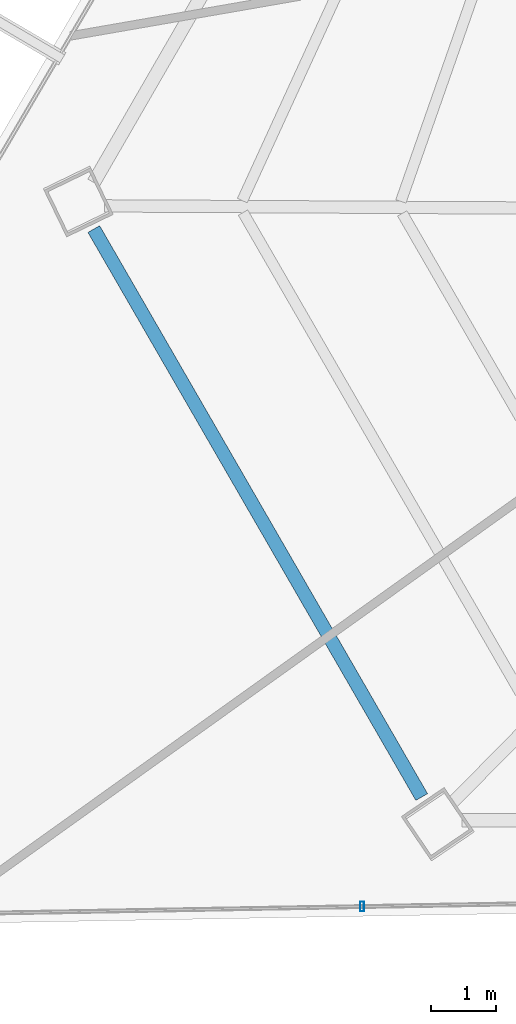
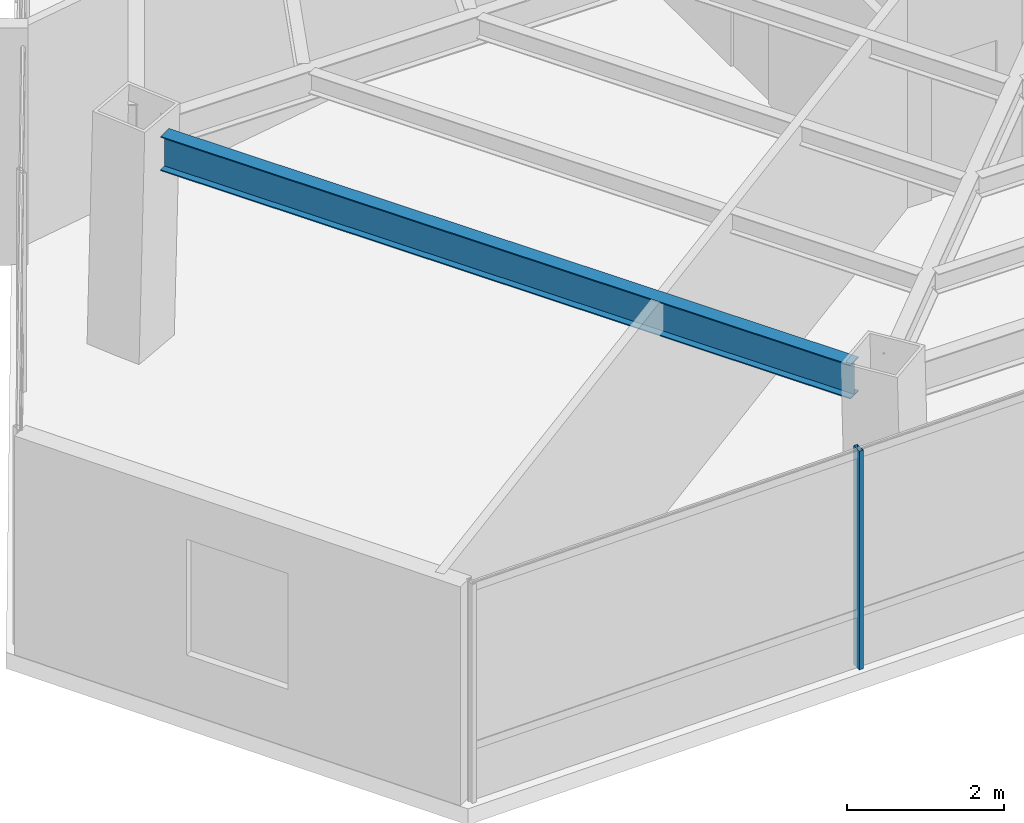
# One storey, part 4 of 42: 1 beam, 1 member, 1 element without a shape of its own.
"""IFC4 building model written with IfcOpenShell, lengths in metres."""

from ifc_helpers import new_model, si_unit, direction, frame, origin, origin_2d, place, context, subcontext, project, spatial, hollow_rectangle, i_section, extrude, source, transform, mapped, material, material_profile, profile_set, type_object, type_shapes, element, aggregate, save


model = new_model("IFC4")

# Units and contexts
model_context = context("Model", 3, precision=1e-05, world=origin(), true_north=direction((0.0, 1.0)))
body_context = subcontext(model_context, "Body", "Model", "MODEL_VIEW")
ifc_project = project(units=[si_unit("LENGTHUNIT", "METRE"), si_unit("AREAUNIT", "SQUARE_METRE"), si_unit("VOLUMEUNIT", "CUBIC_METRE"), si_unit("PLANEANGLEUNIT", "RADIAN"), si_unit("MASSUNIT", "GRAM", prefix="KILO")], contexts=[model_context])

# Site, building, storey
site_placement = place(None, origin())
site = spatial("IfcSite", under=ifc_project, at=site_placement, CompositionType="ELEMENT")
building_placement = place(site_placement, origin())
building = spatial("IfcBuilding", under=site, at=building_placement, Name="Caelisora Broadcast Tower", CompositionType="ELEMENT")
storey_placement = place(building_placement, frame((0.0, 0.0, 184.050048828125)))
storey = spatial("IfcBuildingStorey", under=building, at=storey_placement, Name="L48", CompositionType="ELEMENT", Elevation=184.050048828125)

# Beam
ifc_material_1 = material(Name="Steel Grade 350 (AS/NZS 3679.1)", Category="steel")
ifc_material_profile_1 = material_profile(ifc_material_1, i_section(OverallWidth=0.208984375, OverallDepth=0.532958984375, WebThickness=0.01025390625, FlangeThickness=0.015625, at=origin_2d()), Name="Steel Grade 350 (AS/NZS 3679.1)")
ifc_profile_set_1 = profile_set([ifc_material_profile_1], Name="Steel Grade 350 (AS/NZS 3679.1)")
beam_type = type_object("IfcBeamType", Name="PG05", PredefinedType="BEAM", material=ifc_profile_set_1)
shared_shape_1 = source(origin(), body_context, "Body", "SweptSolid", [
    extrude(i_section(OverallWidth=0.208984375, OverallDepth=0.532958984375, WebThickness=0.01025390625, FlangeThickness=0.015625, at=origin_2d()), origin(), (0.0, 0.0, 1.0), 10.14208984375),
])
type_shapes(beam_type, [shared_shape_1])
beam_placement = place(storey_placement, frame((15.932373046875, 17.11474609375, 3.133544921875), z_axis=(0.500004454241, -0.866022832112, 0.0), x_axis=(0.866022832112, 0.500004454241, 0.0)))
element("IfcBeam", 1, at=beam_placement, inside=storey, type_object=beam_type, Name="L48 beam PG05", PredefinedType="BEAM", context=body_context, shape_type="MappedRepresentation", body=[
    mapped(shared_shape_1, transform((0.0, 0.0, 0.0), scale=1.0)),
])

# Curtain wall, member
ifc_material_2 = material(Name="Unitised Aluminium and Low-E Glass Curtain Wall", Category="glass")
curtain_wall_type = type_object("IfcCurtainWallType", Name="CW-Z4", PredefinedType="NOTDEFINED", material=ifc_material_2)
curtain_wall_placement = place(storey_placement, origin())
curtain_wall = element("IfcCurtainWall", 2, at=curtain_wall_placement, inside=storey, type_object=curtain_wall_type, Name="L48 curtain wall CW-Z4", PredefinedType="NOTDEFINED")
ifc_material_3 = material(Name="Aluminium 6063-T6 Anodised Terracotta Bronze", Category="aluminium")
ifc_material_profile_2 = material_profile(ifc_material_3, hollow_rectangle(XDim=0.06005859375, YDim=0.14990234375, WallThickness=0.00341796875, at=origin_2d()), Name="Aluminium 6063-T6 Anodised Terracotta Bronze")
ifc_profile_set_2 = profile_set([ifc_material_profile_2], Name="Aluminium 6063-T6 Anodised Terracotta Bronze")
member_type = type_object("IfcMemberType", Name="CWM-03", PredefinedType="MULLION", material=ifc_profile_set_2)
shared_shape_2 = source(origin(), body_context, "Body", "SweptSolid", [
    extrude(hollow_rectangle(XDim=0.06005859375, YDim=0.14990234375, WallThickness=0.00341796875, at=origin_2d()), origin(), (0.0, 0.0, 1.0), 3.39990234375),
])
type_shapes(member_type, [shared_shape_2])
member_placement = place(storey_placement, frame((20.083251953125, 6.6376953125, 0.0), z_axis=(0.0, 0.0, 1.0), x_axis=(1.0, 0.0, 0.0)))
member = element("IfcMember", 3, at=member_placement, type_object=member_type, Name="L48-CW-B07 mullion #2", PredefinedType="MULLION", context=body_context, shape_type="MappedRepresentation", body=[
    mapped(shared_shape_2, transform((0.0, 0.0, 0.0), scale=1.0)),
])
aggregate(curtain_wall, [member])

save(model, "model.ifc")
